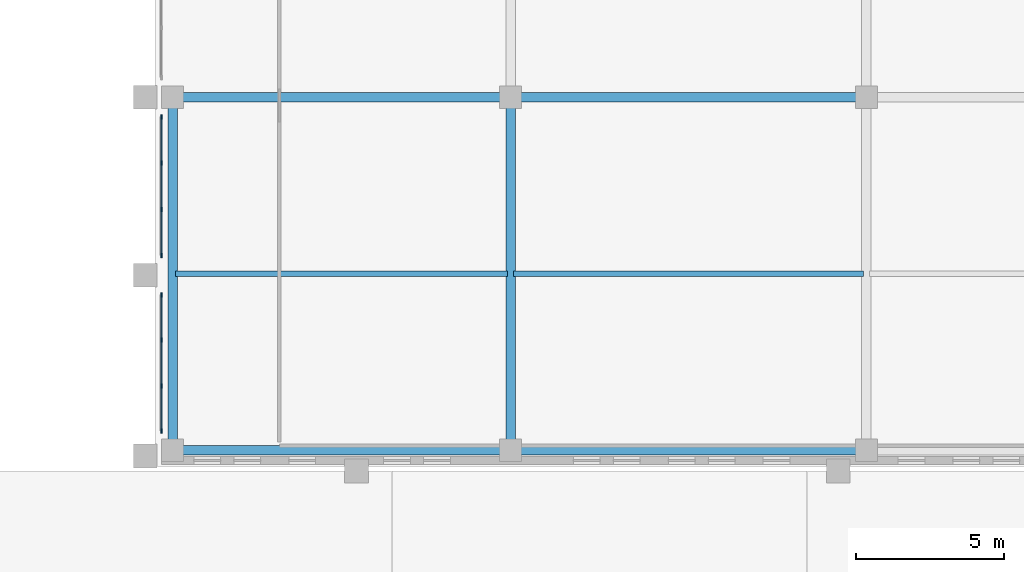
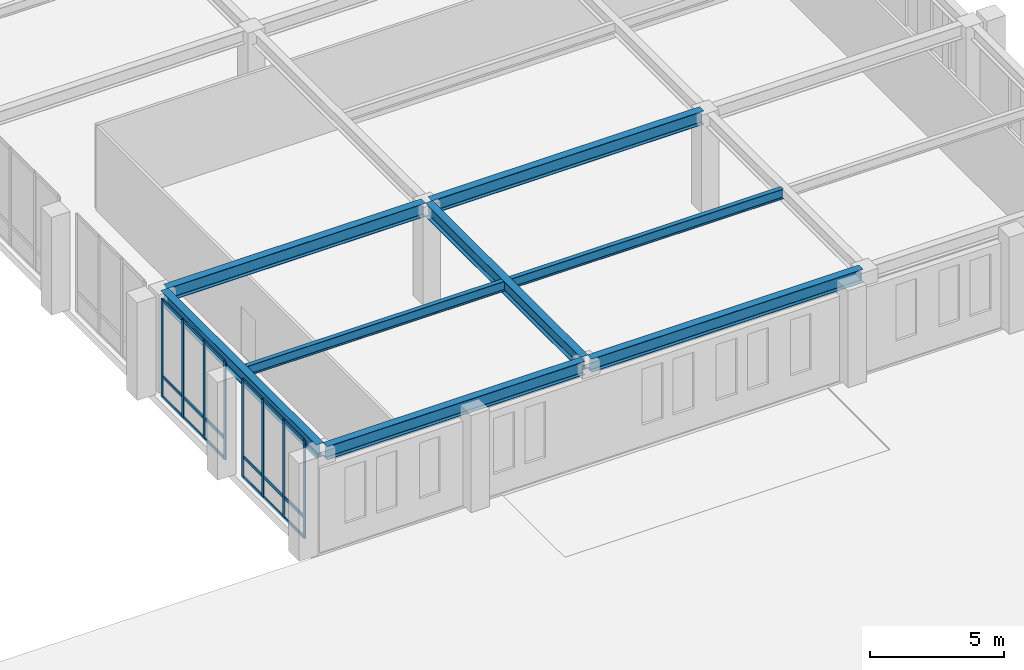
# One storey, part 36 of 79: 26 members, 8 beams, 2 elements without a shape of their own.
"""IFC4 building model written with IfcOpenShell, lengths in metres."""

from ifc_helpers import new_model, si_unit, derived_unit, direction, frame, origin, origin_2d, place, context, subcontext, project, spatial, rectangle, i_section, extrude, material, layer, layer_set, material_profile, profile_set, type_object, element, aggregate, save


model = new_model("IFC4")

# Units and contexts
model_context = context("Model", 3, precision=1e-05, world=origin(), true_north=direction((0.0, 1.0)))
body_context = subcontext(model_context, "Body", "Model", "MODEL_VIEW")
ifc_project = project(units=[si_unit("LENGTHUNIT", "METRE"), si_unit("AREAUNIT", "SQUARE_METRE"), si_unit("VOLUMEUNIT", "CUBIC_METRE"), si_unit("PLANEANGLEUNIT", "RADIAN"), si_unit("MASSUNIT", "GRAM", prefix="KILO"), derived_unit("THERMALTRANSMITTANCEUNIT", [(si_unit("MASSUNIT", "GRAM", prefix="KILO"), 1), (si_unit("TIMEUNIT", "SECOND"), -3), (si_unit("THERMODYNAMICTEMPERATUREUNIT", "KELVIN"), -1)])], contexts=[model_context])

# Site, building, storey
site_placement = place(None, origin())
site = spatial("IfcSite", under=ifc_project, at=site_placement, CompositionType="ELEMENT")
building_placement = place(site_placement, origin())
building = spatial("IfcBuilding", under=site, at=building_placement, Name="Valcora Ridge Arena", CompositionType="ELEMENT")
storey_placement = place(building_placement, frame((0.0, 0.0, 16.199951171875)))
storey = spatial("IfcBuildingStorey", under=building, at=storey_placement, Name="L03", CompositionType="ELEMENT", Elevation=16.199951171875)

# Beams
ifc_material_1 = material(Name="Steel ASTM A572 Grade 50", Category="steel")
ifc_material_profile_1 = material_profile(ifc_material_1, i_section(OverallWidth=0.324951171875, OverallDepth=0.612060546875, WebThickness=0.0126953125, FlangeThickness=0.01904296875, FilletRadius=0.01806640625, at=origin_2d()), Name="W24X104")
ifc_profile_set_1 = profile_set([ifc_material_profile_1], Name="Steel ASTM A572 Grade 50")
beam_type_1 = type_object("IfcBeamType", Name="TY-BEAM-G-W24X104-X", PredefinedType="BEAM", material=ifc_profile_set_1)
beam_1_placement = place(storey_placement, frame((156.739990234375, 95.60009765625, 4.154052734375), z_axis=(1.0, 0.0, 0.0), x_axis=(0.0, 1.0, 0.0)))
element("IfcBeam", 1, at=beam_1_placement, inside=storey, type_object=beam_type_1, Name="G-W24X104-X BEM-G-W24X104-X-0094", PredefinedType="BEAM", context=body_context, shape_type="SweptSolid", body=[
    extrude(i_section(OverallWidth=0.324951171875, OverallDepth=0.612060546875, WebThickness=0.0126953125, FlangeThickness=0.01904296875, FilletRadius=0.01806640625, at=origin_2d()), origin(), (0.0, 0.0, 1.0), 11.1201171875),
])
beam_2_placement = place(storey_placement, frame((168.139892578125, 95.60009765625, 4.154052734375), z_axis=(1.0, 0.0, 0.0), x_axis=(0.0, 1.0, 0.0)))
element("IfcBeam", 2, at=beam_2_placement, inside=storey, type_object=beam_type_1, Name="G-W24X104-X BEM-G-W24X104-X-0095", PredefinedType="BEAM", context=body_context, shape_type="SweptSolid", body=[
    extrude(i_section(OverallWidth=0.324951171875, OverallDepth=0.612060546875, WebThickness=0.0126953125, FlangeThickness=0.01904296875, FilletRadius=0.01806640625, at=origin_2d()), origin(), (0.0, 0.0, 1.0), 11.72021484375),
])
ifc_material_profile_2 = material_profile(ifc_material_1, i_section(OverallWidth=0.324951171875, OverallDepth=0.612060546875, WebThickness=0.0126953125, FlangeThickness=0.01904296875, FilletRadius=0.01806640625, at=origin_2d()), Name="W24X104")
ifc_profile_set_2 = profile_set([ifc_material_profile_2], Name="Steel ASTM A572 Grade 50")
beam_type_2 = type_object("IfcBeamType", Name="TY-BEAM-G-W24X104-Y", PredefinedType="BEAM", material=ifc_profile_set_2)
for number, where, z_axis, x_axis, name in (
    (3, (156.60009765625, 83.840087890625, 4.154052734375), (0.0, 1.0, 0.0), (-1.0, 0.0, 0.0), "G-W24X104-Y BEM-G-W24X104-Y-0133"),
    (4, (168.0, 83.840087890625, 4.154052734375), (0.0, 1.0, 0.0), (-1.0, 0.0, 0.0), "G-W24X104-Y BEM-G-W24X104-Y-0134"),
):
    element("IfcBeam", number, at=place(storey_placement, frame(where, z_axis=z_axis, x_axis=x_axis)), inside=storey, type_object=beam_type_2, Name=name, PredefinedType="BEAM", context=body_context, shape_type="SweptSolid", body=[
        extrude(i_section(OverallWidth=0.324951171875, OverallDepth=0.612060546875, WebThickness=0.0126953125, FlangeThickness=0.01904296875, FilletRadius=0.01806640625, at=origin_2d()), origin(), (0.0, 0.0, 1.0), 11.619873046875),
    ])
ifc_material_profile_3 = material_profile(ifc_material_1, i_section(OverallWidth=0.18994140625, OverallDepth=0.45703125, WebThickness=0.009033203125, FlangeThickness=0.014404296875, FilletRadius=0.014892578125, at=origin_2d()), Name="W18X50")
ifc_profile_set_3 = profile_set([ifc_material_profile_3], Name="Steel ASTM A572 Grade 50")
beam_type_3 = type_object("IfcBeamType", Name="TY-BEAM-J-W18X50", PredefinedType="JOIST", material=ifc_profile_set_3)
beam_3_placement = place(storey_placement, frame((156.699951171875, 89.64990234375, 4.2314453125), z_axis=(1.0, 0.0, 0.0), x_axis=(0.0, 1.0, 0.0)))
element("IfcBeam", 5, at=beam_3_placement, inside=storey, type_object=beam_type_3, Name="J-W18X50 BEM-J-W18X50-0101", PredefinedType="JOIST", context=body_context, shape_type="SweptSolid", body=[
    extrude(i_section(OverallWidth=0.18994140625, OverallDepth=0.45703125, WebThickness=0.009033203125, FlangeThickness=0.014404296875, FilletRadius=0.014892578125, at=origin_2d()), origin(), (0.0, 0.0, 1.0), 11.199951171875),
])
beam_4_placement = place(storey_placement, frame((168.10009765625, 89.64990234375, 4.2314453125), z_axis=(1.0, 0.0, 0.0), x_axis=(0.0, 1.0, 0.0)))
element("IfcBeam", 6, at=beam_4_placement, inside=storey, type_object=beam_type_3, Name="J-W18X50 BEM-J-W18X50-0102", PredefinedType="JOIST", context=body_context, shape_type="SweptSolid", body=[
    extrude(i_section(OverallWidth=0.18994140625, OverallDepth=0.45703125, WebThickness=0.009033203125, FlangeThickness=0.014404296875, FilletRadius=0.014892578125, at=origin_2d()), origin(), (0.0, 0.0, 1.0), 11.7998046875),
])
ifc_material_profile_4 = material_profile(ifc_material_1, i_section(OverallWidth=0.324951171875, OverallDepth=0.612060546875, WebThickness=0.0126953125, FlangeThickness=0.01904296875, FilletRadius=0.01806640625, at=origin_2d()), Name="W24X104")
ifc_profile_set_4 = profile_set([ifc_material_profile_4], Name="Steel ASTM A572 Grade 50")
beam_type_4 = type_object("IfcBeamType", Name="TY-BEAM-SP-W24X104", PredefinedType="SPANDREL", material=ifc_profile_set_4)
beam_5_placement = place(storey_placement, frame((156.739990234375, 83.699951171875, 4.154052734375), z_axis=(1.0, 0.0, 0.0), x_axis=(0.0, 1.0, 0.0)))
element("IfcBeam", 7, at=beam_5_placement, inside=storey, type_object=beam_type_4, Name="SP-W24X104 BEM-SP-W24X104-0052", PredefinedType="SPANDREL", context=body_context, shape_type="SweptSolid", body=[
    extrude(i_section(OverallWidth=0.324951171875, OverallDepth=0.612060546875, WebThickness=0.0126953125, FlangeThickness=0.01904296875, FilletRadius=0.01806640625, at=origin_2d()), origin(), (0.0, 0.0, 1.0), 11.1201171875),
])
beam_6_placement = place(storey_placement, frame((168.139892578125, 83.699951171875, 4.154052734375), z_axis=(1.0, 0.0, 0.0), x_axis=(0.0, 1.0, 0.0)))
element("IfcBeam", 8, at=beam_6_placement, inside=storey, type_object=beam_type_4, Name="SP-W24X104 BEM-SP-W24X104-0053", PredefinedType="SPANDREL", context=body_context, shape_type="SweptSolid", body=[
    extrude(i_section(OverallWidth=0.324951171875, OverallDepth=0.612060546875, WebThickness=0.0126953125, FlangeThickness=0.01904296875, FilletRadius=0.01806640625, at=origin_2d()), origin(), (0.0, 0.0, 1.0), 11.72021484375),
])

# Curtain wall, members
ifc_material_2 = material(Name="Anodised dark bronze architectural aluminium 6063-T6", Category="aluminium")
ifc_layer_1 = layer(ifc_material_2, 0.14990234375, Name="Anodised dark bronze architectural aluminium 6063-T6")
ifc_layer_set_1 = layer_set([ifc_layer_1], Name="Anodised dark bronze architectural aluminium 6063-T6")
curtain_wall_type_1 = type_object("IfcCurtainWallType", Name="TY-CURTAINWALL-CW-V5-MED-046X45", PredefinedType="NOTDEFINED", material=ifc_layer_set_1)
curtain_wall_1_placement = place(storey_placement, origin())
curtain_wall_1 = element("IfcCurtainWall", 9, at=curtain_wall_1_placement, inside=storey, type_object=curtain_wall_type_1, Name="CW-V5-MED-046X45 CW-0342", PredefinedType="NOTDEFINED")
ifc_material_profile_5 = material_profile(ifc_material_2, rectangle(XDim=0.050048828125, YDim=0.14990234375, at=origin_2d()), Name="ALU MULLION 50x150")
ifc_profile_set_5 = profile_set([ifc_material_profile_5], Name="Anodised dark bronze architectural aluminium 6063-T6")
member_type_1 = type_object("IfcMemberType", Name="TY-MEM-CWM-50x150", PredefinedType="MULLION", material=ifc_profile_set_5)
member_1_placement = place(storey_placement, frame((156.219970703125, 84.340087890625, 0.0), z_axis=(0.0, 0.0, 1.0), x_axis=(-1.0, 0.0, 0.0)))
member_1 = element("IfcMember", 10, at=member_1_placement, type_object=member_type_1, Name="CW-0342/CWM-50x150/M00", PredefinedType="MULLION", context=body_context, shape_type="SweptSolid", body=[
    extrude(rectangle(XDim=0.050048828125, YDim=0.14990234375, at=origin_2d()), origin(), (0.0, 0.0, 1.0), 4.4599609375),
])
member_2_placement = place(storey_placement, frame((156.219970703125, 85.86328125, 0.0), z_axis=(0.0, 0.0, 1.0), x_axis=(-1.0, 0.0, 0.0)))
member_2 = element("IfcMember", 11, at=member_2_placement, type_object=member_type_1, Name="CW-0342/CWM-50x150/M01", PredefinedType="MULLION", context=body_context, shape_type="SweptSolid", body=[
    extrude(rectangle(XDim=0.050048828125, YDim=0.14990234375, at=origin_2d()), origin(), (0.0, 0.0, 1.0), 4.4599609375),
])
member_3_placement = place(storey_placement, frame((156.219970703125, 87.41162109375, 0.0), z_axis=(0.0, 0.0, 1.0), x_axis=(-1.0, 0.0, 0.0)))
member_3 = element("IfcMember", 12, at=member_3_placement, type_object=member_type_1, Name="CW-0342/CWM-50x150/M02", PredefinedType="MULLION", context=body_context, shape_type="SweptSolid", body=[
    extrude(rectangle(XDim=0.050048828125, YDim=0.14990234375, at=origin_2d()), origin(), (0.0, 0.0, 1.0), 4.4599609375),
])
member_4_placement = place(storey_placement, frame((156.219970703125, 88.93505859375, 0.0), z_axis=(0.0, 0.0, 1.0), x_axis=(-1.0, 0.0, 0.0)))
member_4 = element("IfcMember", 13, at=member_4_placement, type_object=member_type_1, Name="CW-0342/CWM-50x150/M03", PredefinedType="MULLION", context=body_context, shape_type="SweptSolid", body=[
    extrude(rectangle(XDim=0.050048828125, YDim=0.14990234375, at=origin_2d()), origin(), (0.0, 0.0, 1.0), 4.4599609375),
])

ifc_layer_2 = layer(ifc_material_2, 0.14990234375, Name="Anodised dark bronze architectural aluminium 6063-T6")
ifc_layer_set_2 = layer_set([ifc_layer_2], Name="Anodised dark bronze architectural aluminium 6063-T6")
curtain_wall_type_2 = type_object("IfcCurtainWallType", Name="TY-CURTAINWALL-CW-V5-MED-047X45", PredefinedType="NOTDEFINED", material=ifc_layer_set_2)
curtain_wall_2_placement = place(storey_placement, origin())
curtain_wall_2 = element("IfcCurtainWall", 14, at=curtain_wall_2_placement, inside=storey, type_object=curtain_wall_type_2, Name="CW-V5-MED-047X45 CW-0343", PredefinedType="NOTDEFINED")
member_5_placement = place(storey_placement, frame((156.219970703125, 90.264892578125, 0.0), z_axis=(0.0, 0.0, 1.0), x_axis=(-1.0, 0.0, 0.0)))
member_5 = element("IfcMember", 15, at=member_5_placement, type_object=member_type_1, Name="CW-0343/CWM-50x150/M00", PredefinedType="MULLION", context=body_context, shape_type="SweptSolid", body=[
    extrude(rectangle(XDim=0.050048828125, YDim=0.14990234375, at=origin_2d()), origin(), (0.0, 0.0, 1.0), 4.4599609375),
])
member_6_placement = place(storey_placement, frame((156.219970703125, 91.813232421875, 0.0), z_axis=(0.0, 0.0, 1.0), x_axis=(-1.0, 0.0, 0.0)))
member_6 = element("IfcMember", 16, at=member_6_placement, type_object=member_type_1, Name="CW-0343/CWM-50x150/M01", PredefinedType="MULLION", context=body_context, shape_type="SweptSolid", body=[
    extrude(rectangle(XDim=0.050048828125, YDim=0.14990234375, at=origin_2d()), origin(), (0.0, 0.0, 1.0), 4.4599609375),
])
member_7_placement = place(storey_placement, frame((156.219970703125, 93.38671875, 0.0), z_axis=(0.0, 0.0, 1.0), x_axis=(-1.0, 0.0, 0.0)))
member_7 = element("IfcMember", 17, at=member_7_placement, type_object=member_type_1, Name="CW-0343/CWM-50x150/M02", PredefinedType="MULLION", context=body_context, shape_type="SweptSolid", body=[
    extrude(rectangle(XDim=0.050048828125, YDim=0.14990234375, at=origin_2d()), origin(), (0.0, 0.0, 1.0), 4.4599609375),
])
member_8_placement = place(storey_placement, frame((156.219970703125, 94.93505859375, 0.0), z_axis=(0.0, 0.0, 1.0), x_axis=(-1.0, 0.0, 0.0)))
member_8 = element("IfcMember", 18, at=member_8_placement, type_object=member_type_1, Name="CW-0343/CWM-50x150/M03", PredefinedType="MULLION", context=body_context, shape_type="SweptSolid", body=[
    extrude(rectangle(XDim=0.050048828125, YDim=0.14990234375, at=origin_2d()), origin(), (0.0, 0.0, 1.0), 4.4599609375),
])

# Member
ifc_material_profile_6 = material_profile(ifc_material_2, rectangle(XDim=0.050048828125, YDim=0.14990234375, at=origin_2d()), Name="ALU TRANSOM 50x150")
ifc_profile_set_6 = profile_set([ifc_material_profile_6], Name="Anodised dark bronze architectural aluminium 6063-T6")
member_type_2 = type_object("IfcMemberType", Name="TY-MEM-CWT-50x150", PredefinedType="USERDEFINED", material=ifc_profile_set_6)
member_9_placement = place(storey_placement, frame((156.219970703125, 84.364990234375, 0.025146484375), z_axis=(0.0, 1.0, 0.0), x_axis=(-1.0, 0.0, 0.0)))
member_9 = element("IfcMember", 19, at=member_9_placement, type_object=member_type_2, Name="CW-0342/CWT-50x150/T00-00", ObjectType="TRANSOM", PredefinedType="USERDEFINED", context=body_context, shape_type="SweptSolid", body=[
    extrude(rectangle(XDim=0.050048828125, YDim=0.14990234375, at=origin_2d()), origin(), (0.0, 0.0, 1.0), 1.472900390625),
])

member_10_placement = place(storey_placement, frame((156.219970703125, 84.364990234375, 0.949951171875), z_axis=(0.0, 1.0, 0.0), x_axis=(-1.0, 0.0, 0.0)))
member_10 = element("IfcMember", 20, at=member_10_placement, type_object=member_type_2, Name="CW-0342/CWT-50x150/T00-01", ObjectType="TRANSOM", PredefinedType="USERDEFINED", context=body_context, shape_type="SweptSolid", body=[
    extrude(rectangle(XDim=0.050048828125, YDim=0.14990234375, at=origin_2d()), origin(), (0.0, 0.0, 1.0), 1.472900390625),
])

member_11_placement = place(storey_placement, frame((156.219970703125, 84.364990234375, 4.43505859375), z_axis=(0.0, 1.0, 0.0), x_axis=(-1.0, 0.0, 0.0)))
member_11 = element("IfcMember", 21, at=member_11_placement, type_object=member_type_2, Name="CW-0342/CWT-50x150/T00-02", ObjectType="TRANSOM", PredefinedType="USERDEFINED", context=body_context, shape_type="SweptSolid", body=[
    extrude(rectangle(XDim=0.050048828125, YDim=0.14990234375, at=origin_2d()), origin(), (0.0, 0.0, 1.0), 1.472900390625),
])

member_12_placement = place(storey_placement, frame((156.219970703125, 85.887939453125, 0.025146484375), z_axis=(0.0, 1.0, 0.0), x_axis=(-1.0, 0.0, 0.0)))
member_12 = element("IfcMember", 22, at=member_12_placement, type_object=member_type_2, Name="CW-0342/CWT-50x150/T01-00", ObjectType="TRANSOM", PredefinedType="USERDEFINED", context=body_context, shape_type="SweptSolid", body=[
    extrude(rectangle(XDim=0.050048828125, YDim=0.14990234375, at=origin_2d()), origin(), (0.0, 0.0, 1.0), 1.4990234375),
])

member_13_placement = place(storey_placement, frame((156.219970703125, 85.887939453125, 0.949951171875), z_axis=(0.0, 1.0, 0.0), x_axis=(-1.0, 0.0, 0.0)))
member_13 = element("IfcMember", 23, at=member_13_placement, type_object=member_type_2, Name="CW-0342/CWT-50x150/T01-01", ObjectType="TRANSOM", PredefinedType="USERDEFINED", context=body_context, shape_type="SweptSolid", body=[
    extrude(rectangle(XDim=0.050048828125, YDim=0.14990234375, at=origin_2d()), origin(), (0.0, 0.0, 1.0), 1.4990234375),
])

member_14_placement = place(storey_placement, frame((156.219970703125, 85.887939453125, 4.43505859375), z_axis=(0.0, 1.0, 0.0), x_axis=(-1.0, 0.0, 0.0)))
member_14 = element("IfcMember", 24, at=member_14_placement, type_object=member_type_2, Name="CW-0342/CWT-50x150/T01-02", ObjectType="TRANSOM", PredefinedType="USERDEFINED", context=body_context, shape_type="SweptSolid", body=[
    extrude(rectangle(XDim=0.050048828125, YDim=0.14990234375, at=origin_2d()), origin(), (0.0, 0.0, 1.0), 1.4990234375),
])

member_15_placement = place(storey_placement, frame((156.219970703125, 87.43701171875, 0.025146484375), z_axis=(0.0, 1.0, 0.0), x_axis=(-1.0, 0.0, 0.0)))
member_15 = element("IfcMember", 25, at=member_15_placement, type_object=member_type_2, Name="CW-0342/CWT-50x150/T02-00", ObjectType="TRANSOM", PredefinedType="USERDEFINED", context=body_context, shape_type="SweptSolid", body=[
    extrude(rectangle(XDim=0.050048828125, YDim=0.14990234375, at=origin_2d()), origin(), (0.0, 0.0, 1.0), 1.472900390625),
])

member_16_placement = place(storey_placement, frame((156.219970703125, 87.43701171875, 0.949951171875), z_axis=(0.0, 1.0, 0.0), x_axis=(-1.0, 0.0, 0.0)))
member_16 = element("IfcMember", 26, at=member_16_placement, type_object=member_type_2, Name="CW-0342/CWT-50x150/T02-01", ObjectType="TRANSOM", PredefinedType="USERDEFINED", context=body_context, shape_type="SweptSolid", body=[
    extrude(rectangle(XDim=0.050048828125, YDim=0.14990234375, at=origin_2d()), origin(), (0.0, 0.0, 1.0), 1.472900390625),
])

member_17_placement = place(storey_placement, frame((156.219970703125, 87.43701171875, 4.43505859375), z_axis=(0.0, 1.0, 0.0), x_axis=(-1.0, 0.0, 0.0)))
member_17 = element("IfcMember", 27, at=member_17_placement, type_object=member_type_2, Name="CW-0342/CWT-50x150/T02-02", ObjectType="TRANSOM", PredefinedType="USERDEFINED", context=body_context, shape_type="SweptSolid", body=[
    extrude(rectangle(XDim=0.050048828125, YDim=0.14990234375, at=origin_2d()), origin(), (0.0, 0.0, 1.0), 1.472900390625),
])

aggregate(curtain_wall_1, [member_1, member_2, member_3, member_4, member_9, member_10, member_11, member_12, member_13, member_14, member_15, member_16, member_17])

member_18_placement = place(storey_placement, frame((156.219970703125, 90.2900390625, 0.025146484375), z_axis=(0.0, 1.0, 0.0), x_axis=(-1.0, 0.0, 0.0)))
member_18 = element("IfcMember", 28, at=member_18_placement, type_object=member_type_2, Name="CW-0343/CWT-50x150/T00-00", ObjectType="TRANSOM", PredefinedType="USERDEFINED", context=body_context, shape_type="SweptSolid", body=[
    extrude(rectangle(XDim=0.050048828125, YDim=0.14990234375, at=origin_2d()), origin(), (0.0, 0.0, 1.0), 1.498046875),
])

member_19_placement = place(storey_placement, frame((156.219970703125, 90.2900390625, 0.949951171875), z_axis=(0.0, 1.0, 0.0), x_axis=(-1.0, 0.0, 0.0)))
member_19 = element("IfcMember", 29, at=member_19_placement, type_object=member_type_2, Name="CW-0343/CWT-50x150/T00-01", ObjectType="TRANSOM", PredefinedType="USERDEFINED", context=body_context, shape_type="SweptSolid", body=[
    extrude(rectangle(XDim=0.050048828125, YDim=0.14990234375, at=origin_2d()), origin(), (0.0, 0.0, 1.0), 1.498046875),
])

member_20_placement = place(storey_placement, frame((156.219970703125, 90.2900390625, 4.43505859375), z_axis=(0.0, 1.0, 0.0), x_axis=(-1.0, 0.0, 0.0)))
member_20 = element("IfcMember", 30, at=member_20_placement, type_object=member_type_2, Name="CW-0343/CWT-50x150/T00-02", ObjectType="TRANSOM", PredefinedType="USERDEFINED", context=body_context, shape_type="SweptSolid", body=[
    extrude(rectangle(XDim=0.050048828125, YDim=0.14990234375, at=origin_2d()), origin(), (0.0, 0.0, 1.0), 1.498046875),
])

member_21_placement = place(storey_placement, frame((156.219970703125, 91.837890625, 0.025146484375), z_axis=(0.0, 1.0, 0.0), x_axis=(-1.0, 0.0, 0.0)))
member_21 = element("IfcMember", 31, at=member_21_placement, type_object=member_type_2, Name="CW-0343/CWT-50x150/T01-00", ObjectType="TRANSOM", PredefinedType="USERDEFINED", context=body_context, shape_type="SweptSolid", body=[
    extrude(rectangle(XDim=0.050048828125, YDim=0.14990234375, at=origin_2d()), origin(), (0.0, 0.0, 1.0), 1.524169921875),
])

member_22_placement = place(storey_placement, frame((156.219970703125, 91.837890625, 0.949951171875), z_axis=(0.0, 1.0, 0.0), x_axis=(-1.0, 0.0, 0.0)))
member_22 = element("IfcMember", 32, at=member_22_placement, type_object=member_type_2, Name="CW-0343/CWT-50x150/T01-01", ObjectType="TRANSOM", PredefinedType="USERDEFINED", context=body_context, shape_type="SweptSolid", body=[
    extrude(rectangle(XDim=0.050048828125, YDim=0.14990234375, at=origin_2d()), origin(), (0.0, 0.0, 1.0), 1.524169921875),
])

member_23_placement = place(storey_placement, frame((156.219970703125, 91.837890625, 4.43505859375), z_axis=(0.0, 1.0, 0.0), x_axis=(-1.0, 0.0, 0.0)))
member_23 = element("IfcMember", 33, at=member_23_placement, type_object=member_type_2, Name="CW-0343/CWT-50x150/T01-02", ObjectType="TRANSOM", PredefinedType="USERDEFINED", context=body_context, shape_type="SweptSolid", body=[
    extrude(rectangle(XDim=0.050048828125, YDim=0.14990234375, at=origin_2d()), origin(), (0.0, 0.0, 1.0), 1.524169921875),
])

member_24_placement = place(storey_placement, frame((156.219970703125, 93.412109375, 0.025146484375), z_axis=(0.0, 1.0, 0.0), x_axis=(-1.0, 0.0, 0.0)))
member_24 = element("IfcMember", 34, at=member_24_placement, type_object=member_type_2, Name="CW-0343/CWT-50x150/T02-00", ObjectType="TRANSOM", PredefinedType="USERDEFINED", context=body_context, shape_type="SweptSolid", body=[
    extrude(rectangle(XDim=0.050048828125, YDim=0.14990234375, at=origin_2d()), origin(), (0.0, 0.0, 1.0), 1.497802734375),
])

member_25_placement = place(storey_placement, frame((156.219970703125, 93.412109375, 0.949951171875), z_axis=(0.0, 1.0, 0.0), x_axis=(-1.0, 0.0, 0.0)))
member_25 = element("IfcMember", 35, at=member_25_placement, type_object=member_type_2, Name="CW-0343/CWT-50x150/T02-01", ObjectType="TRANSOM", PredefinedType="USERDEFINED", context=body_context, shape_type="SweptSolid", body=[
    extrude(rectangle(XDim=0.050048828125, YDim=0.14990234375, at=origin_2d()), origin(), (0.0, 0.0, 1.0), 1.497802734375),
])

member_26_placement = place(storey_placement, frame((156.219970703125, 93.412109375, 4.43505859375), z_axis=(0.0, 1.0, 0.0), x_axis=(-1.0, 0.0, 0.0)))
member_26 = element("IfcMember", 36, at=member_26_placement, type_object=member_type_2, Name="CW-0343/CWT-50x150/T02-02", ObjectType="TRANSOM", PredefinedType="USERDEFINED", context=body_context, shape_type="SweptSolid", body=[
    extrude(rectangle(XDim=0.050048828125, YDim=0.14990234375, at=origin_2d()), origin(), (0.0, 0.0, 1.0), 1.497802734375),
])

aggregate(curtain_wall_2, [member_5, member_6, member_7, member_8, member_18, member_19, member_20, member_21, member_22, member_23, member_24, member_25, member_26])

save(model, "model.ifc")
